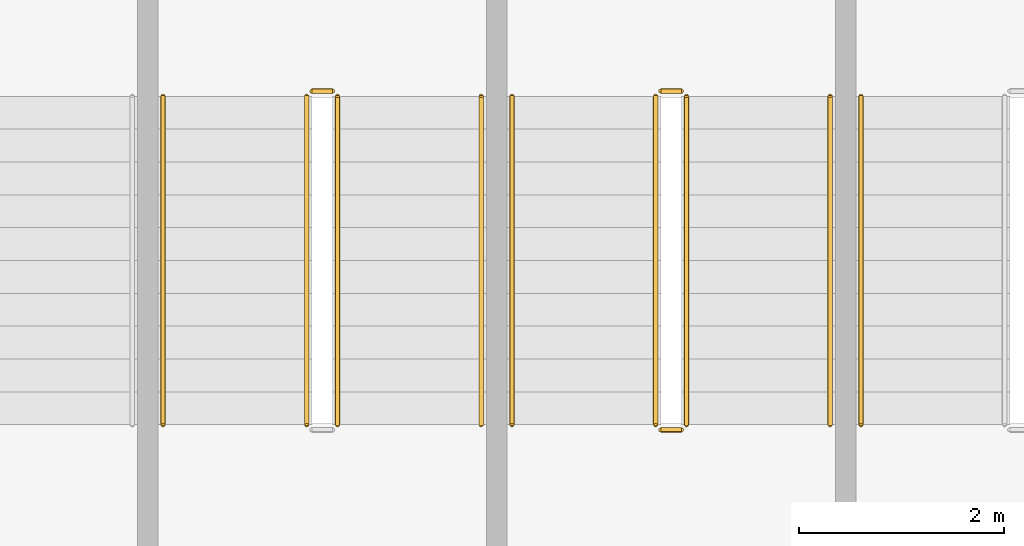
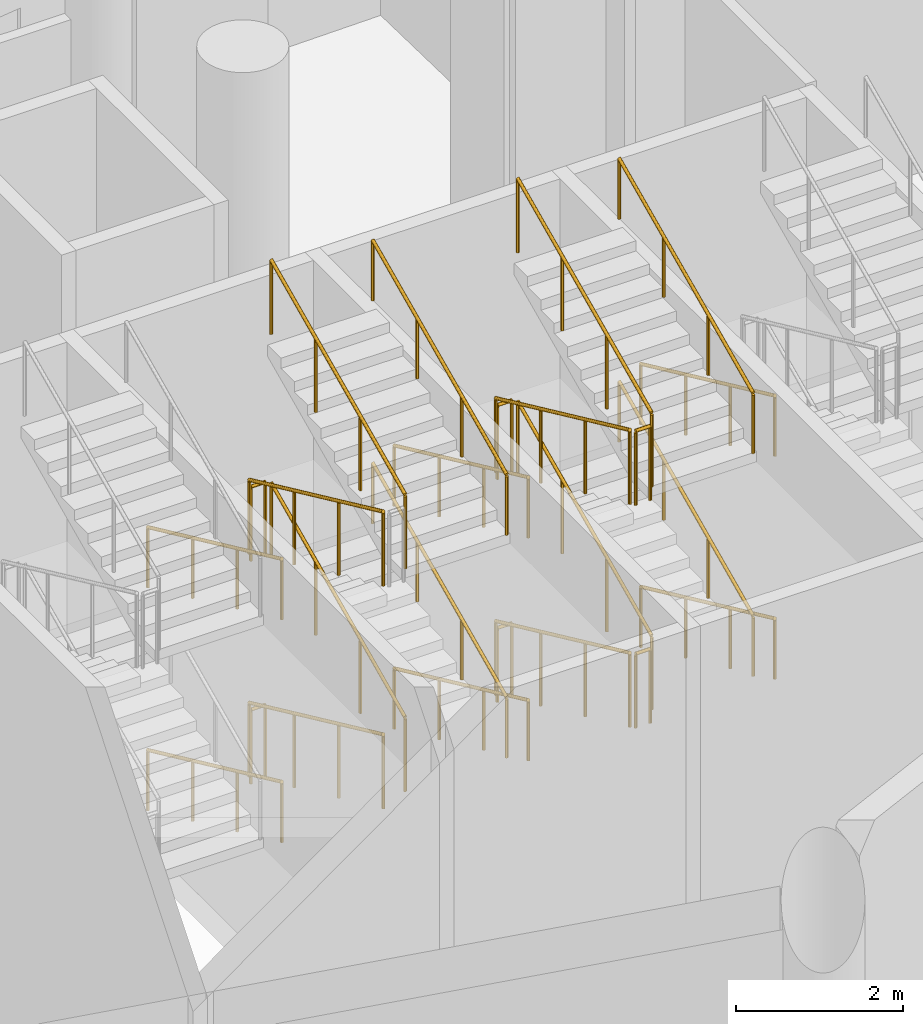
# One storey, part 193 of 255: 24 railings.
"""IFC4 building model written with IfcOpenShell, lengths in metres."""

from ifc_helpers import new_model, si_unit, direction, frame, origin, origin_2d, place, context, subcontext, project, spatial, circle, extrude, material, type_object, element, save


model = new_model("IFC4")

# Units and contexts
model_context = context("Model", 3, precision=1e-05, world=origin(), true_north=direction((0.0, 1.0)))
body_context = subcontext(model_context, "Body", "Model", "MODEL_VIEW")
ifc_project = project(units=[si_unit("LENGTHUNIT", "METRE"), si_unit("AREAUNIT", "SQUARE_METRE"), si_unit("VOLUMEUNIT", "CUBIC_METRE"), si_unit("PLANEANGLEUNIT", "RADIAN"), si_unit("MASSUNIT", "GRAM", prefix="KILO")], contexts=[model_context])

# Site, building, storey
site_placement = place(None, origin())
site = spatial("IfcSite", under=ifc_project, at=site_placement, CompositionType="ELEMENT")
building_placement = place(site_placement, origin())
building = spatial("IfcBuilding", under=site, at=building_placement, Name="Meseta Stadium", CompositionType="ELEMENT")
storey_placement = place(building_placement, origin())
storey = spatial("IfcBuildingStorey", under=building, at=storey_placement, Name="L00", CompositionType="ELEMENT", Elevation=0.0)

# Railings
ifc_material_1 = material(Name="Steel S355", Category="steel")
railing_type_1 = type_object("IfcRailingType", Name="Stair guard 1100", PredefinedType="GUARDRAIL", material=ifc_material_1)
railing_1_placement = place(storey_placement, frame((-9.5166015625, -94.89990234375, 0.147705078125)))
element("IfcRailing", 1, at=railing_1_placement, inside=storey, type_object=railing_type_1, Name="ST94 L00 guard 1", PredefinedType="GUARDRAIL", context=body_context, shape_type="SweptSolid", body=[
    extrude(circle(Radius=0.02392578125, at=origin_2d()), frame((0.0, 0.0, 1.076171875), z_axis=(0.0, -0.907928972973, 0.419124062821), x_axis=(1.0, 0.0, 0.0)), (0.0, 0.0, 1.0), 3.524658203125),
    extrude(circle(Radius=0.02099609375, at=origin_2d()), origin(), (0.0, 0.0, 1.0), 1.052001953125),
    extrude(circle(Radius=0.02099609375, at=origin_2d()), frame((0.0, -1.066650390625, 0.492431640625)), (0.0, 0.0, 1.0), 1.052001953125),
    extrude(circle(Radius=0.02099609375, at=origin_2d()), frame((0.0, -2.133544921875, 0.98486328125)), (0.0, 0.0, 1.0), 1.052001953125),
    extrude(circle(Radius=0.02099609375, at=origin_2d()), frame((0.0, -3.2001953125, 1.477294921875)), (0.0, 0.0, 1.0), 1.052001953125),
])
railing_2_placement = place(storey_placement, frame((-9.216552734375, -98.10009765625, 1.772705078125)))
element("IfcRailing", 2, at=railing_2_placement, inside=storey, type_object=railing_type_1, Name="ST94 L00 guard 3", PredefinedType="GUARDRAIL", context=body_context, shape_type="SweptSolid", body=[
    extrude(circle(Radius=0.02392578125, at=origin_2d()), frame((0.0, 0.0, 1.076171875), z_axis=(0.0, 0.907928972973, 0.419124062821), x_axis=(-1.0, 0.0, 0.0)), (0.0, 0.0, 1.0), 3.524658203125),
    extrude(circle(Radius=0.02099609375, at=origin_2d()), origin(), (0.0, 0.0, 1.0), 1.052001953125),
    extrude(circle(Radius=0.02099609375, at=origin_2d()), frame((0.0, 1.066650390625, 0.492431640625)), (0.0, 0.0, 1.0), 1.052001953125),
    extrude(circle(Radius=0.02099609375, at=origin_2d()), frame((0.0, 2.133544921875, 0.98486328125)), (0.0, 0.0, 1.0), 1.052001953125),
    extrude(circle(Radius=0.02099609375, at=origin_2d()), frame((0.0, 3.2001953125, 1.477294921875)), (0.0, 0.0, 1.0), 1.052001953125),
])
railing_3_placement = place(storey_placement, frame((-9.466552734375, -94.85009765625, 3.25)))
element("IfcRailing", 3, at=railing_3_placement, inside=storey, type_object=railing_type_1, Name="ST94 L00 guard 4", PredefinedType="GUARDRAIL", context=body_context, shape_type="SweptSolid", body=[
    extrude(circle(Radius=0.02392578125, at=origin_2d()), frame((0.0, 0.0, 1.076171875), z_axis=(1.0, 0.0, 0.0), x_axis=(0.0, 1.0, 0.0)), (0.0, 0.0, 1.0), 0.199951171875),
    extrude(circle(Radius=0.02099609375, at=origin_2d()), origin(), (0.0, 0.0, 1.0), 1.052001953125),
    extrude(circle(Radius=0.02099609375, at=origin_2d()), frame((0.199951171875, 0.0, 0.0)), (0.0, 0.0, 1.0), 1.052001953125),
])
railing_4_placement = place(storey_placement, frame((-9.5166015625, -94.89990234375, 3.397705078125)))
element("IfcRailing", 4, at=railing_4_placement, inside=storey, type_object=railing_type_1, Name="ST94 L00 guard 5", PredefinedType="GUARDRAIL", context=body_context, shape_type="SweptSolid", body=[
    extrude(circle(Radius=0.02392578125, at=origin_2d()), frame((0.0, 0.0, 1.076171875), z_axis=(0.0, -0.907928972973, 0.419124062821), x_axis=(1.0, 0.0, 0.0)), (0.0, 0.0, 1.0), 3.524658203125),
    extrude(circle(Radius=0.02099609375, at=origin_2d()), origin(), (0.0, 0.0, 1.0), 1.052001953125),
    extrude(circle(Radius=0.02099609375, at=origin_2d()), frame((0.0, -1.066650390625, 0.492431640625)), (0.0, 0.0, 1.0), 1.052001953125),
    extrude(circle(Radius=0.02099609375, at=origin_2d()), frame((0.0, -2.133544921875, 0.98486328125)), (0.0, 0.0, 1.0), 1.052001953125),
    extrude(circle(Radius=0.02099609375, at=origin_2d()), frame((0.0, -3.2001953125, 1.477294921875)), (0.0, 0.0, 1.0), 1.052001953125),
])
railing_5_placement = place(storey_placement, frame((-9.216552734375, -98.10009765625, 5.022705078125)))
element("IfcRailing", 5, at=railing_5_placement, inside=storey, type_object=railing_type_1, Name="ST94 L00 guard 7", PredefinedType="GUARDRAIL", context=body_context, shape_type="SweptSolid", body=[
    extrude(circle(Radius=0.02392578125, at=origin_2d()), frame((0.0, 0.0, 1.076171875), z_axis=(0.0, 0.907928972973, 0.419124062821), x_axis=(-1.0, 0.0, 0.0)), (0.0, 0.0, 1.0), 3.524658203125),
    extrude(circle(Radius=0.02099609375, at=origin_2d()), origin(), (0.0, 0.0, 1.0), 1.052001953125),
    extrude(circle(Radius=0.02099609375, at=origin_2d()), frame((0.0, 1.066650390625, 0.492431640625)), (0.0, 0.0, 1.0), 1.052001953125),
    extrude(circle(Radius=0.02099609375, at=origin_2d()), frame((0.0, 2.133544921875, 0.98486328125)), (0.0, 0.0, 1.0), 1.052001953125),
    extrude(circle(Radius=0.02099609375, at=origin_2d()), frame((0.0, 3.2001953125, 1.477294921875)), (0.0, 0.0, 1.0), 1.052001953125),
])
railing_6_placement = place(storey_placement, frame((-9.466552734375, -94.85009765625, 0.0)))
element("IfcRailing", 6, at=railing_6_placement, inside=storey, type_object=railing_type_1, Name="ST94 L00 guard 8", PredefinedType="GUARDRAIL", context=body_context, shape_type="SweptSolid", body=[
    extrude(circle(Radius=0.02392578125, at=origin_2d()), frame((0.0, 0.0, 1.076171875), z_axis=(1.0, 0.0, 0.0), x_axis=(0.0, 1.0, 0.0)), (0.0, 0.0, 1.0), 0.199951171875),
    extrude(circle(Radius=0.02099609375, at=origin_2d()), origin(), (0.0, 0.0, 1.0), 1.052001953125),
    extrude(circle(Radius=0.02099609375, at=origin_2d()), frame((0.199951171875, 0.0, 0.0)), (0.0, 0.0, 1.0), 1.052001953125),
])
railing_7_placement = place(storey_placement, frame((-6.11669921875, -94.89990234375, 0.147705078125)))
element("IfcRailing", 7, at=railing_7_placement, inside=storey, type_object=railing_type_1, Name="ST95 L00 guard 1", PredefinedType="GUARDRAIL", context=body_context, shape_type="SweptSolid", body=[
    extrude(circle(Radius=0.02392578125, at=origin_2d()), frame((0.0, 0.0, 1.076171875), z_axis=(0.0, -0.907928972973, 0.419124062821), x_axis=(1.0, 0.0, 0.0)), (0.0, 0.0, 1.0), 3.524658203125),
    extrude(circle(Radius=0.02099609375, at=origin_2d()), origin(), (0.0, 0.0, 1.0), 1.052001953125),
    extrude(circle(Radius=0.02099609375, at=origin_2d()), frame((0.0, -1.066650390625, 0.492431640625)), (0.0, 0.0, 1.0), 1.052001953125),
    extrude(circle(Radius=0.02099609375, at=origin_2d()), frame((0.0, -2.133544921875, 0.98486328125)), (0.0, 0.0, 1.0), 1.052001953125),
    extrude(circle(Radius=0.02099609375, at=origin_2d()), frame((0.0, -3.2001953125, 1.477294921875)), (0.0, 0.0, 1.0), 1.052001953125),
])
railing_8_placement = place(storey_placement, frame((-6.066650390625, -98.14990234375, 1.625)))
element("IfcRailing", 8, at=railing_8_placement, inside=storey, type_object=railing_type_1, Name="ST95 L00 guard 2", PredefinedType="GUARDRAIL", context=body_context, shape_type="SweptSolid", body=[
    extrude(circle(Radius=0.02392578125, at=origin_2d()), frame((0.0, 0.0, 1.076171875), z_axis=(1.0, 0.0, 0.0), x_axis=(0.0, 1.0, 0.0)), (0.0, 0.0, 1.0), 0.199951171875),
    extrude(circle(Radius=0.02099609375, at=origin_2d()), origin(), (0.0, 0.0, 1.0), 1.052001953125),
    extrude(circle(Radius=0.02099609375, at=origin_2d()), frame((0.199951171875, 0.0, 0.0)), (0.0, 0.0, 1.0), 1.052001953125),
])
railing_9_placement = place(storey_placement, frame((-5.816650390625, -98.10009765625, 1.772705078125)))
element("IfcRailing", 9, at=railing_9_placement, inside=storey, type_object=railing_type_1, Name="ST95 L00 guard 3", PredefinedType="GUARDRAIL", context=body_context, shape_type="SweptSolid", body=[
    extrude(circle(Radius=0.02392578125, at=origin_2d()), frame((0.0, 0.0, 1.076171875), z_axis=(0.0, 0.907928972973, 0.419124062821), x_axis=(-1.0, 0.0, 0.0)), (0.0, 0.0, 1.0), 3.524658203125),
    extrude(circle(Radius=0.02099609375, at=origin_2d()), origin(), (0.0, 0.0, 1.0), 1.052001953125),
    extrude(circle(Radius=0.02099609375, at=origin_2d()), frame((0.0, 1.066650390625, 0.492431640625)), (0.0, 0.0, 1.0), 1.052001953125),
    extrude(circle(Radius=0.02099609375, at=origin_2d()), frame((0.0, 2.133544921875, 0.98486328125)), (0.0, 0.0, 1.0), 1.052001953125),
    extrude(circle(Radius=0.02099609375, at=origin_2d()), frame((0.0, 3.2001953125, 1.477294921875)), (0.0, 0.0, 1.0), 1.052001953125),
])
railing_10_placement = place(storey_placement, frame((-6.066650390625, -94.85009765625, 3.25)))
element("IfcRailing", 10, at=railing_10_placement, inside=storey, type_object=railing_type_1, Name="ST95 L00 guard 4", PredefinedType="GUARDRAIL", context=body_context, shape_type="SweptSolid", body=[
    extrude(circle(Radius=0.02392578125, at=origin_2d()), frame((0.0, 0.0, 1.076171875), z_axis=(1.0, 0.0, 0.0), x_axis=(0.0, 1.0, 0.0)), (0.0, 0.0, 1.0), 0.199951171875),
    extrude(circle(Radius=0.02099609375, at=origin_2d()), origin(), (0.0, 0.0, 1.0), 1.052001953125),
    extrude(circle(Radius=0.02099609375, at=origin_2d()), frame((0.199951171875, 0.0, 0.0)), (0.0, 0.0, 1.0), 1.052001953125),
])
railing_11_placement = place(storey_placement, frame((-6.11669921875, -94.89990234375, 3.397705078125)))
element("IfcRailing", 11, at=railing_11_placement, inside=storey, type_object=railing_type_1, Name="ST95 L00 guard 5", PredefinedType="GUARDRAIL", context=body_context, shape_type="SweptSolid", body=[
    extrude(circle(Radius=0.02392578125, at=origin_2d()), frame((0.0, 0.0, 1.076171875), z_axis=(0.0, -0.907928972973, 0.419124062821), x_axis=(1.0, 0.0, 0.0)), (0.0, 0.0, 1.0), 3.524658203125),
    extrude(circle(Radius=0.02099609375, at=origin_2d()), origin(), (0.0, 0.0, 1.0), 1.052001953125),
    extrude(circle(Radius=0.02099609375, at=origin_2d()), frame((0.0, -1.066650390625, 0.492431640625)), (0.0, 0.0, 1.0), 1.052001953125),
    extrude(circle(Radius=0.02099609375, at=origin_2d()), frame((0.0, -2.133544921875, 0.98486328125)), (0.0, 0.0, 1.0), 1.052001953125),
    extrude(circle(Radius=0.02099609375, at=origin_2d()), frame((0.0, -3.2001953125, 1.477294921875)), (0.0, 0.0, 1.0), 1.052001953125),
])
railing_12_placement = place(storey_placement, frame((-6.066650390625, -98.14990234375, 4.875)))
element("IfcRailing", 12, at=railing_12_placement, inside=storey, type_object=railing_type_1, Name="ST95 L00 guard 6", PredefinedType="GUARDRAIL", context=body_context, shape_type="SweptSolid", body=[
    extrude(circle(Radius=0.02392578125, at=origin_2d()), frame((0.0, 0.0, 1.076171875), z_axis=(1.0, 0.0, 0.0), x_axis=(0.0, 1.0, 0.0)), (0.0, 0.0, 1.0), 0.199951171875),
    extrude(circle(Radius=0.02099609375, at=origin_2d()), origin(), (0.0, 0.0, 1.0), 1.052001953125),
    extrude(circle(Radius=0.02099609375, at=origin_2d()), frame((0.199951171875, 0.0, 0.0)), (0.0, 0.0, 1.0), 1.052001953125),
])
railing_13_placement = place(storey_placement, frame((-5.816650390625, -98.10009765625, 5.022705078125)))
element("IfcRailing", 13, at=railing_13_placement, inside=storey, type_object=railing_type_1, Name="ST95 L00 guard 7", PredefinedType="GUARDRAIL", context=body_context, shape_type="SweptSolid", body=[
    extrude(circle(Radius=0.02392578125, at=origin_2d()), frame((0.0, 0.0, 1.076171875), z_axis=(0.0, 0.907928972973, 0.419124062821), x_axis=(-1.0, 0.0, 0.0)), (0.0, 0.0, 1.0), 3.524658203125),
    extrude(circle(Radius=0.02099609375, at=origin_2d()), origin(), (0.0, 0.0, 1.0), 1.052001953125),
    extrude(circle(Radius=0.02099609375, at=origin_2d()), frame((0.0, 1.066650390625, 0.492431640625)), (0.0, 0.0, 1.0), 1.052001953125),
    extrude(circle(Radius=0.02099609375, at=origin_2d()), frame((0.0, 2.133544921875, 0.98486328125)), (0.0, 0.0, 1.0), 1.052001953125),
    extrude(circle(Radius=0.02099609375, at=origin_2d()), frame((0.0, 3.2001953125, 1.477294921875)), (0.0, 0.0, 1.0), 1.052001953125),
])
railing_14_placement = place(storey_placement, frame((-6.066650390625, -94.85009765625, 0.0)))
element("IfcRailing", 14, at=railing_14_placement, inside=storey, type_object=railing_type_1, Name="ST95 L00 guard 8", PredefinedType="GUARDRAIL", context=body_context, shape_type="SweptSolid", body=[
    extrude(circle(Radius=0.02392578125, at=origin_2d()), frame((0.0, 0.0, 1.076171875), z_axis=(1.0, 0.0, 0.0), x_axis=(0.0, 1.0, 0.0)), (0.0, 0.0, 1.0), 0.199951171875),
    extrude(circle(Radius=0.02099609375, at=origin_2d()), origin(), (0.0, 0.0, 1.0), 1.052001953125),
    extrude(circle(Radius=0.02099609375, at=origin_2d()), frame((0.199951171875, 0.0, 0.0)), (0.0, 0.0, 1.0), 1.052001953125),
])
ifc_material_2 = material(Name="Steel S355", Category="steel")
railing_type_2 = type_object("IfcRailingType", Name="Stair handrail 900", PredefinedType="HANDRAIL", material=ifc_material_2)
railing_15_placement = place(storey_placement, frame((-10.916748046875, -94.89990234375, 0.147705078125)))
element("IfcRailing", 15, at=railing_15_placement, inside=storey, type_object=railing_type_2, Name="ST94 L00 handrail 1", PredefinedType="HANDRAIL", context=body_context, shape_type="SweptSolid", body=[
    extrude(circle(Radius=0.02392578125, at=origin_2d()), frame((0.0, 0.0, 0.8759765625), z_axis=(0.0, -0.907928972973, 0.419124062821), x_axis=(1.0, 0.0, 0.0)), (0.0, 0.0, 1.0), 3.524658203125),
    extrude(circle(Radius=0.02099609375, at=origin_2d()), origin(), (0.0, 0.0, 1.0), 0.851806640625),
    extrude(circle(Radius=0.02099609375, at=origin_2d()), frame((0.0, -1.066650390625, 0.492431640625)), (0.0, 0.0, 1.0), 0.851806640625),
    extrude(circle(Radius=0.02099609375, at=origin_2d()), frame((0.0, -2.133544921875, 0.98486328125)), (0.0, 0.0, 1.0), 0.851806640625),
    extrude(circle(Radius=0.02099609375, at=origin_2d()), frame((0.0, -3.2001953125, 1.477294921875)), (0.0, 0.0, 1.0), 0.851806640625),
])
railing_16_placement = place(storey_placement, frame((-7.816650390625, -98.10009765625, 1.772705078125)))
element("IfcRailing", 16, at=railing_16_placement, inside=storey, type_object=railing_type_2, Name="ST94 L00 handrail 2", PredefinedType="HANDRAIL", context=body_context, shape_type="SweptSolid", body=[
    extrude(circle(Radius=0.02392578125, at=origin_2d()), frame((0.0, 0.0, 0.8759765625), z_axis=(0.0, 0.907928972973, 0.419124062821), x_axis=(-1.0, 0.0, 0.0)), (0.0, 0.0, 1.0), 3.524658203125),
    extrude(circle(Radius=0.02099609375, at=origin_2d()), origin(), (0.0, 0.0, 1.0), 0.851806640625),
    extrude(circle(Radius=0.02099609375, at=origin_2d()), frame((0.0, 1.066650390625, 0.492431640625)), (0.0, 0.0, 1.0), 0.851806640625),
    extrude(circle(Radius=0.02099609375, at=origin_2d()), frame((0.0, 2.133544921875, 0.98486328125)), (0.0, 0.0, 1.0), 0.851806640625),
    extrude(circle(Radius=0.02099609375, at=origin_2d()), frame((0.0, 3.2001953125, 1.477294921875)), (0.0, 0.0, 1.0), 0.851806640625),
])
railing_17_placement = place(storey_placement, frame((-10.916748046875, -94.89990234375, 3.397705078125)))
element("IfcRailing", 17, at=railing_17_placement, inside=storey, type_object=railing_type_2, Name="ST94 L00 handrail 3", PredefinedType="HANDRAIL", context=body_context, shape_type="SweptSolid", body=[
    extrude(circle(Radius=0.02392578125, at=origin_2d()), frame((0.0, 0.0, 0.8759765625), z_axis=(0.0, -0.907928972973, 0.419124062821), x_axis=(1.0, 0.0, 0.0)), (0.0, 0.0, 1.0), 3.524658203125),
    extrude(circle(Radius=0.02099609375, at=origin_2d()), origin(), (0.0, 0.0, 1.0), 0.851806640625),
    extrude(circle(Radius=0.02099609375, at=origin_2d()), frame((0.0, -1.066650390625, 0.492431640625)), (0.0, 0.0, 1.0), 0.851806640625),
    extrude(circle(Radius=0.02099609375, at=origin_2d()), frame((0.0, -2.133544921875, 0.98486328125)), (0.0, 0.0, 1.0), 0.851806640625),
    extrude(circle(Radius=0.02099609375, at=origin_2d()), frame((0.0, -3.2001953125, 1.477294921875)), (0.0, 0.0, 1.0), 0.851806640625),
])
railing_18_placement = place(storey_placement, frame((-7.816650390625, -98.10009765625, 5.022705078125)))
element("IfcRailing", 18, at=railing_18_placement, inside=storey, type_object=railing_type_2, Name="ST94 L00 handrail 4", PredefinedType="HANDRAIL", context=body_context, shape_type="SweptSolid", body=[
    extrude(circle(Radius=0.02392578125, at=origin_2d()), frame((0.0, 0.0, 0.8759765625), z_axis=(0.0, 0.907928972973, 0.419124062821), x_axis=(-1.0, 0.0, 0.0)), (0.0, 0.0, 1.0), 3.524658203125),
    extrude(circle(Radius=0.02099609375, at=origin_2d()), origin(), (0.0, 0.0, 1.0), 0.851806640625),
    extrude(circle(Radius=0.02099609375, at=origin_2d()), frame((0.0, 1.066650390625, 0.492431640625)), (0.0, 0.0, 1.0), 0.851806640625),
    extrude(circle(Radius=0.02099609375, at=origin_2d()), frame((0.0, 2.133544921875, 0.98486328125)), (0.0, 0.0, 1.0), 0.851806640625),
    extrude(circle(Radius=0.02099609375, at=origin_2d()), frame((0.0, 3.2001953125, 1.477294921875)), (0.0, 0.0, 1.0), 0.851806640625),
])
railing_19_placement = place(storey_placement, frame((-7.5166015625, -94.89990234375, 0.147705078125)))
element("IfcRailing", 19, at=railing_19_placement, inside=storey, type_object=railing_type_2, Name="ST95 L00 handrail 1", PredefinedType="HANDRAIL", context=body_context, shape_type="SweptSolid", body=[
    extrude(circle(Radius=0.02392578125, at=origin_2d()), frame((0.0, 0.0, 0.8759765625), z_axis=(0.0, -0.907928972973, 0.419124062821), x_axis=(1.0, 0.0, 0.0)), (0.0, 0.0, 1.0), 3.524658203125),
    extrude(circle(Radius=0.02099609375, at=origin_2d()), origin(), (0.0, 0.0, 1.0), 0.851806640625),
    extrude(circle(Radius=0.02099609375, at=origin_2d()), frame((0.0, -1.066650390625, 0.492431640625)), (0.0, 0.0, 1.0), 0.851806640625),
    extrude(circle(Radius=0.02099609375, at=origin_2d()), frame((0.0, -2.133544921875, 0.98486328125)), (0.0, 0.0, 1.0), 0.851806640625),
    extrude(circle(Radius=0.02099609375, at=origin_2d()), frame((0.0, -3.2001953125, 1.477294921875)), (0.0, 0.0, 1.0), 0.851806640625),
])
railing_20_placement = place(storey_placement, frame((-4.416748046875, -98.10009765625, 1.772705078125)))
element("IfcRailing", 20, at=railing_20_placement, inside=storey, type_object=railing_type_2, Name="ST95 L00 handrail 2", PredefinedType="HANDRAIL", context=body_context, shape_type="SweptSolid", body=[
    extrude(circle(Radius=0.02392578125, at=origin_2d()), frame((0.0, 0.0, 0.8759765625), z_axis=(0.0, 0.907928972973, 0.419124062821), x_axis=(-1.0, 0.0, 0.0)), (0.0, 0.0, 1.0), 3.524658203125),
    extrude(circle(Radius=0.02099609375, at=origin_2d()), origin(), (0.0, 0.0, 1.0), 0.851806640625),
    extrude(circle(Radius=0.02099609375, at=origin_2d()), frame((0.0, 1.066650390625, 0.492431640625)), (0.0, 0.0, 1.0), 0.851806640625),
    extrude(circle(Radius=0.02099609375, at=origin_2d()), frame((0.0, 2.133544921875, 0.98486328125)), (0.0, 0.0, 1.0), 0.851806640625),
    extrude(circle(Radius=0.02099609375, at=origin_2d()), frame((0.0, 3.2001953125, 1.477294921875)), (0.0, 0.0, 1.0), 0.851806640625),
])
railing_21_placement = place(storey_placement, frame((-7.5166015625, -94.89990234375, 3.397705078125)))
element("IfcRailing", 21, at=railing_21_placement, inside=storey, type_object=railing_type_2, Name="ST95 L00 handrail 3", PredefinedType="HANDRAIL", context=body_context, shape_type="SweptSolid", body=[
    extrude(circle(Radius=0.02392578125, at=origin_2d()), frame((0.0, 0.0, 0.8759765625), z_axis=(0.0, -0.907928972973, 0.419124062821), x_axis=(1.0, 0.0, 0.0)), (0.0, 0.0, 1.0), 3.524658203125),
    extrude(circle(Radius=0.02099609375, at=origin_2d()), origin(), (0.0, 0.0, 1.0), 0.851806640625),
    extrude(circle(Radius=0.02099609375, at=origin_2d()), frame((0.0, -1.066650390625, 0.492431640625)), (0.0, 0.0, 1.0), 0.851806640625),
    extrude(circle(Radius=0.02099609375, at=origin_2d()), frame((0.0, -2.133544921875, 0.98486328125)), (0.0, 0.0, 1.0), 0.851806640625),
    extrude(circle(Radius=0.02099609375, at=origin_2d()), frame((0.0, -3.2001953125, 1.477294921875)), (0.0, 0.0, 1.0), 0.851806640625),
])
railing_22_placement = place(storey_placement, frame((-4.416748046875, -98.10009765625, 5.022705078125)))
element("IfcRailing", 22, at=railing_22_placement, inside=storey, type_object=railing_type_2, Name="ST95 L00 handrail 4", PredefinedType="HANDRAIL", context=body_context, shape_type="SweptSolid", body=[
    extrude(circle(Radius=0.02392578125, at=origin_2d()), frame((0.0, 0.0, 0.8759765625), z_axis=(0.0, 0.907928972973, 0.419124062821), x_axis=(-1.0, 0.0, 0.0)), (0.0, 0.0, 1.0), 3.524658203125),
    extrude(circle(Radius=0.02099609375, at=origin_2d()), origin(), (0.0, 0.0, 1.0), 0.851806640625),
    extrude(circle(Radius=0.02099609375, at=origin_2d()), frame((0.0, 1.066650390625, 0.492431640625)), (0.0, 0.0, 1.0), 0.851806640625),
    extrude(circle(Radius=0.02099609375, at=origin_2d()), frame((0.0, 2.133544921875, 0.98486328125)), (0.0, 0.0, 1.0), 0.851806640625),
    extrude(circle(Radius=0.02099609375, at=origin_2d()), frame((0.0, 3.2001953125, 1.477294921875)), (0.0, 0.0, 1.0), 0.851806640625),
])
for number, where, name in (
    (23, (-4.11669921875, -94.89990234375, 0.147705078125), "ST96 L00 handrail 1"),
    (24, (-4.11669921875, -94.89990234375, 3.397705078125), "ST96 L00 handrail 3"),
):
    element("IfcRailing", number, at=place(storey_placement, frame(where)), inside=storey, type_object=railing_type_2, Name=name, PredefinedType="HANDRAIL", context=body_context, shape_type="SweptSolid", body=[
        extrude(circle(Radius=0.02392578125, at=origin_2d()), frame((0.0, 0.0, 0.8759765625), z_axis=(0.0, -0.907928972973, 0.419124062821), x_axis=(1.0, 0.0, 0.0)), (0.0, 0.0, 1.0), 3.524658203125),
        extrude(circle(Radius=0.02099609375, at=origin_2d()), origin(), (0.0, 0.0, 1.0), 0.851806640625),
        extrude(circle(Radius=0.02099609375, at=origin_2d()), frame((0.0, -1.066650390625, 0.492431640625)), (0.0, 0.0, 1.0), 0.851806640625),
        extrude(circle(Radius=0.02099609375, at=origin_2d()), frame((0.0, -2.133544921875, 0.98486328125)), (0.0, 0.0, 1.0), 0.851806640625),
        extrude(circle(Radius=0.02099609375, at=origin_2d()), frame((0.0, -3.2001953125, 1.477294921875)), (0.0, 0.0, 1.0), 0.851806640625),
    ])

save(model, "model.ifc")
